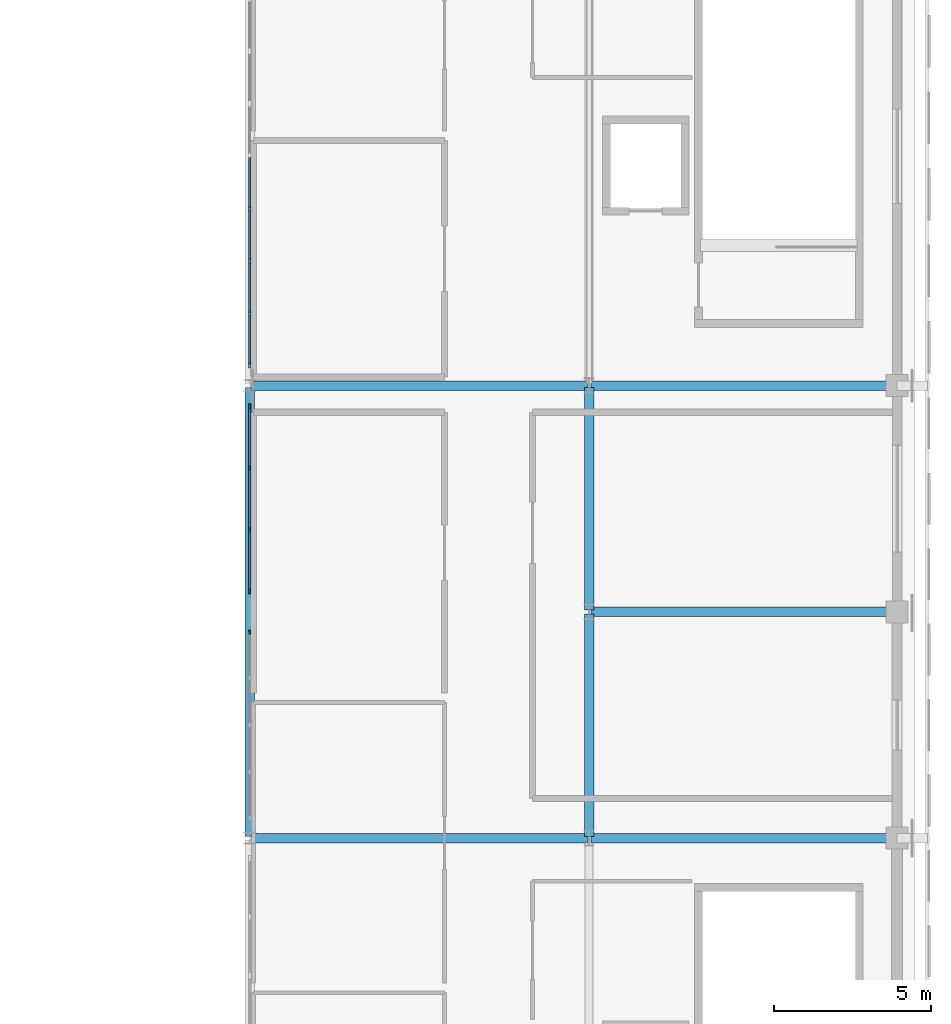
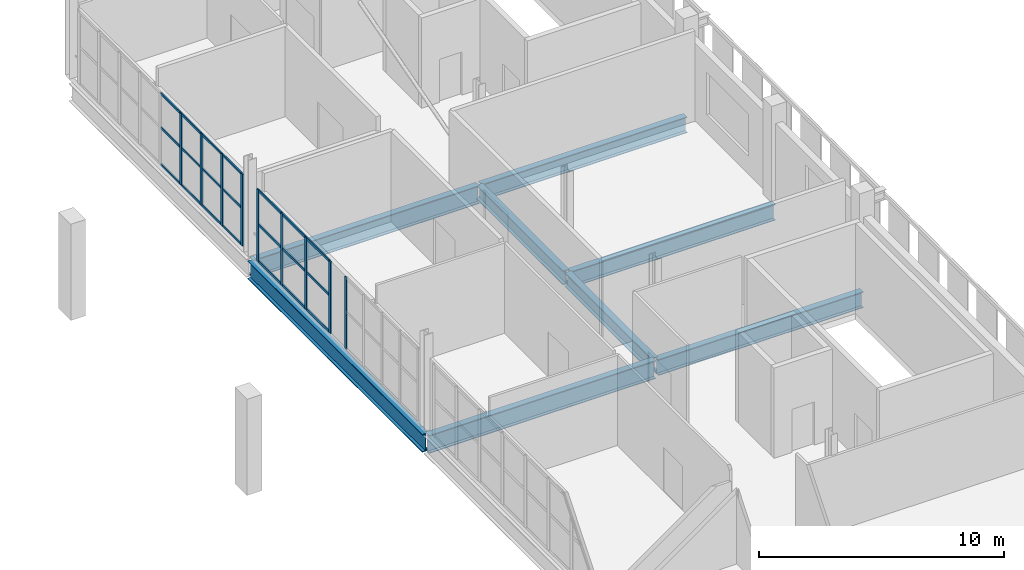
# One storey, part 21 of 51: 30 members, 8 beams, 3 elements without a shape of their own.
"""IFC4 building model written with IfcOpenShell, lengths in metres."""

from ifc_helpers import new_model, si_unit, direction, frame, origin, origin_2d, place, context, subcontext, project, spatial, rectangle, i_section, extrude, material, material_profile, profile_set, type_object, element, aggregate, save


model = new_model("IFC4")

# Units and contexts
model_context = context("Model", 3, precision=1e-05, world=origin(), true_north=direction((0.0, 1.0)))
body_context = subcontext(model_context, "Body", "Model", "MODEL_VIEW")
ifc_project = project(units=[si_unit("LENGTHUNIT", "METRE"), si_unit("AREAUNIT", "SQUARE_METRE"), si_unit("VOLUMEUNIT", "CUBIC_METRE"), si_unit("PLANEANGLEUNIT", "RADIAN"), si_unit("MASSUNIT", "GRAM", prefix="KILO")], contexts=[model_context])

# Site, building, storey
site_placement = place(None, origin())
site = spatial("IfcSite", under=ifc_project, at=site_placement, CompositionType="ELEMENT")
building_placement = place(site_placement, origin())
building = spatial("IfcBuilding", under=site, at=building_placement, Name="Koshinbarg Plaza Stadium", CompositionType="ELEMENT")
storey_placement = place(building_placement, frame((0.0, 0.0, 24.60009765625)))
storey = spatial("IfcBuildingStorey", under=building, at=storey_placement, Name="L05", CompositionType="ELEMENT", Elevation=24.60009765625)

# Beams
ifc_material_1 = material(Name="Steel S355", Category="steel")
ifc_material_profile_1 = material_profile(ifc_material_1, i_section(OverallWidth=0.300048828125, OverallDepth=0.699951171875, WebThickness=0.01708984375, FlangeThickness=0.031982421875, at=origin_2d()), Name="HEB 700")
ifc_profile_set_1 = profile_set([ifc_material_profile_1], Name="Steel S355")
beam_type_1 = type_object("IfcBeamType", Name="BM-SGIR-03", PredefinedType="USERDEFINED", material=ifc_profile_set_1)
beam_1_placement = place(storey_placement, frame((208.60009765625, 97.56005859375, -0.650146484375), z_axis=(0.0, 1.0, 0.0), x_axis=(-1.0, 0.0, 0.0)))
element("IfcBeam", 1, at=beam_1_placement, inside=storey, type_object=beam_type_1, Name="L05 Y girder 20/N-P", ObjectType="GIRDER", PredefinedType="USERDEFINED", context=body_context, shape_type="SweptSolid", body=[
    extrude(i_section(OverallWidth=0.300048828125, OverallDepth=0.699951171875, WebThickness=0.01708984375, FlangeThickness=0.031982421875, at=origin_2d()), origin(), (0.0, 0.0, 1.0), 7.079833984375),
])
beam_2_placement = place(storey_placement, frame((208.60009765625, 104.760009765625, -0.650146484375), z_axis=(0.0, 1.0, 0.0), x_axis=(-1.0, 0.0, 0.0)))
element("IfcBeam", 2, at=beam_2_placement, inside=storey, type_object=beam_type_1, Name="L05 Y girder 20/P-Q", ObjectType="GIRDER", PredefinedType="USERDEFINED", context=body_context, shape_type="SweptSolid", body=[
    extrude(i_section(OverallWidth=0.300048828125, OverallDepth=0.699951171875, WebThickness=0.01708984375, FlangeThickness=0.031982421875, at=origin_2d()), origin(), (0.0, 0.0, 1.0), 7.080078125),
])
ifc_material_profile_2 = material_profile(ifc_material_1, i_section(OverallWidth=0.300048828125, OverallDepth=0.800048828125, WebThickness=0.017578125, FlangeThickness=0.032958984375, at=origin_2d()), Name="HEB 800")
ifc_profile_set_2 = profile_set([ifc_material_profile_2], Name="Steel S355")
beam_type_2 = type_object("IfcBeamType", Name="BM-SGIR-04", PredefinedType="USERDEFINED", material=ifc_profile_set_2)
for number, where, z_axis, x_axis, name in (
    (3, (208.659912109375, 97.5, -0.7001953125), (1.0, 0.0, 0.0), (0.0, 1.0, 0.0), "L05 X girder N/20-21"),
    (4, (208.659912109375, 104.699951171875, -0.7001953125), (1.0, 0.0, 0.0), (0.0, 1.0, 0.0), "L05 X girder P/20-21"),
    (5, (208.659912109375, 111.89990234375, -0.7001953125), (1.0, 0.0, 0.0), (0.0, 1.0, 0.0), "L05 X girder Q/20-21"),
):
    element("IfcBeam", number, at=place(storey_placement, frame(where, z_axis=z_axis, x_axis=x_axis)), inside=storey, type_object=beam_type_2, Name=name, ObjectType="GIRDER", PredefinedType="USERDEFINED", context=body_context, shape_type="SweptSolid", body=[
        extrude(i_section(OverallWidth=0.300048828125, OverallDepth=0.800048828125, WebThickness=0.017578125, FlangeThickness=0.032958984375, at=origin_2d()), origin(), (0.0, 0.0, 1.0), 9.68017578125),
    ])
ifc_material_profile_3 = material_profile(ifc_material_1, i_section(OverallWidth=0.300048828125, OverallDepth=0.89990234375, WebThickness=0.0185546875, FlangeThickness=0.034912109375, at=origin_2d()), Name="HEB 900")
ifc_profile_set_3 = profile_set([ifc_material_profile_3], Name="Steel S355")
beam_type_3 = type_object("IfcBeamType", Name="BM-SGIR-05", PredefinedType="USERDEFINED", material=ifc_profile_set_3)
for number, where, z_axis, x_axis, name in (
    (6, (197.860107421875, 97.5, -0.75), (1.0, 0.0, 0.0), (0.0, 1.0, 0.0), "L05 X girder N/19-20"),
    (7, (197.860107421875, 111.89990234375, -0.75), (1.0, 0.0, 0.0), (0.0, 1.0, 0.0), "L05 X girder Q/19-20"),
):
    element("IfcBeam", number, at=place(storey_placement, frame(where, z_axis=z_axis, x_axis=x_axis)), inside=storey, type_object=beam_type_3, Name=name, ObjectType="GIRDER", PredefinedType="USERDEFINED", context=body_context, shape_type="SweptSolid", body=[
        extrude(i_section(OverallWidth=0.300048828125, OverallDepth=0.89990234375, WebThickness=0.0185546875, FlangeThickness=0.034912109375, at=origin_2d()), origin(), (0.0, 0.0, 1.0), 10.679931640625),
    ])
beam_3_placement = place(storey_placement, frame((197.800048828125, 97.56005859375, -0.75), z_axis=(0.0, 1.0, 0.0), x_axis=(-1.0, 0.0, 0.0)))
element("IfcBeam", 8, at=beam_3_placement, inside=storey, type_object=beam_type_3, Name="L05 Y girder 19/N-Q", ObjectType="GIRDER", PredefinedType="USERDEFINED", context=body_context, shape_type="SweptSolid", body=[
    extrude(i_section(OverallWidth=0.300048828125, OverallDepth=0.89990234375, WebThickness=0.0185546875, FlangeThickness=0.034912109375, at=origin_2d()), origin(), (0.0, 0.0, 1.0), 14.280029296875),
])

# Curtain wall, member
ifc_material_2 = material(Name="Thermally broken anodised aluminium and low-E double glazing", Category="aluminium")
curtain_wall_type_1 = type_object("IfcCurtainWallType", Name="CW-SYS-05", PredefinedType="NOTDEFINED", material=ifc_material_2)
curtain_wall_1_placement = place(storey_placement, origin())
curtain_wall_1 = element("IfcCurtainWall", 9, at=curtain_wall_1_placement, inside=storey, type_object=curtain_wall_type_1, Name="L05 unitised curtain wall CW-L05-148", PredefinedType="NOTDEFINED")
ifc_material_3 = material(Name="Anodised aluminium mullion", Category="aluminium")
ifc_material_profile_4 = material_profile(ifc_material_3, rectangle(XDim=0.06005859375, YDim=0.139892578125, at=origin_2d()), Name="ALU 60x140")
ifc_profile_set_4 = profile_set([ifc_material_profile_4], Name="Anodised aluminium mullion")
member_type_1 = type_object("IfcMemberType", Name="CW-MUL-01", PredefinedType="MULLION", material=ifc_profile_set_4)
member_1_placement = place(storey_placement, frame((197.800048828125, 104.050048828125, 0.0), z_axis=(0.0, 0.0, 1.0), x_axis=(-1.0, 0.0, 0.0)))
member_1 = element("IfcMember", 10, at=member_1_placement, type_object=member_type_1, Name="CW05 mullion 5", PredefinedType="MULLION", context=body_context, shape_type="SweptSolid", body=[
    extrude(rectangle(XDim=0.06005859375, YDim=0.139892578125, at=origin_2d()), origin(), (0.0, 0.0, 1.0), 3.579833984375),
])
aggregate(curtain_wall_1, [member_1])

# Curtain wall, members
curtain_wall_type_2 = type_object("IfcCurtainWallType", Name="CW-SYS-06", PredefinedType="NOTDEFINED", material=ifc_material_2)
curtain_wall_2_placement = place(storey_placement, origin())
curtain_wall_2 = element("IfcCurtainWall", 11, at=curtain_wall_2_placement, inside=storey, type_object=curtain_wall_type_2, Name="L05 unitised curtain wall CW-L05-149", PredefinedType="NOTDEFINED")
ifc_material_profile_5 = material_profile(ifc_material_3, rectangle(XDim=0.06005859375, YDim=0.159912109375, at=origin_2d()), Name="ALU 60x160")
ifc_profile_set_5 = profile_set([ifc_material_profile_5], Name="Anodised aluminium mullion")
member_type_2 = type_object("IfcMemberType", Name="CW-MUL-02", PredefinedType="MULLION", material=ifc_profile_set_5)
member_2_placement = place(storey_placement, frame((197.800048828125, 105.35009765625, 0.0), z_axis=(0.0, 0.0, 1.0), x_axis=(-1.0, 0.0, 0.0)))
member_2 = element("IfcMember", 12, at=member_2_placement, type_object=member_type_2, Name="CW06 mullion 1", PredefinedType="MULLION", context=body_context, shape_type="SweptSolid", body=[
    extrude(rectangle(XDim=0.06005859375, YDim=0.159912109375, at=origin_2d()), origin(), (0.0, 0.0, 1.0), 3.579833984375),
])
member_3_placement = place(storey_placement, frame((197.800048828125, 107.306640625, 0.0), z_axis=(0.0, 0.0, 1.0), x_axis=(-1.0, 0.0, 0.0)))
member_3 = element("IfcMember", 13, at=member_3_placement, type_object=member_type_2, Name="CW06 mullion 2", PredefinedType="MULLION", context=body_context, shape_type="SweptSolid", body=[
    extrude(rectangle(XDim=0.06005859375, YDim=0.159912109375, at=origin_2d()), origin(), (0.0, 0.0, 1.0), 3.579833984375),
])
member_4_placement = place(storey_placement, frame((197.800048828125, 109.293212890625, 0.0), z_axis=(0.0, 0.0, 1.0), x_axis=(-1.0, 0.0, 0.0)))
member_4 = element("IfcMember", 14, at=member_4_placement, type_object=member_type_2, Name="CW06 mullion 3", PredefinedType="MULLION", context=body_context, shape_type="SweptSolid", body=[
    extrude(rectangle(XDim=0.06005859375, YDim=0.159912109375, at=origin_2d()), origin(), (0.0, 0.0, 1.0), 3.579833984375),
])
member_5_placement = place(storey_placement, frame((197.800048828125, 111.25, 0.0), z_axis=(0.0, 0.0, 1.0), x_axis=(-1.0, 0.0, 0.0)))
member_5 = element("IfcMember", 15, at=member_5_placement, type_object=member_type_2, Name="CW06 mullion 4", PredefinedType="MULLION", context=body_context, shape_type="SweptSolid", body=[
    extrude(rectangle(XDim=0.06005859375, YDim=0.159912109375, at=origin_2d()), origin(), (0.0, 0.0, 1.0), 3.579833984375),
])

curtain_wall_type_3 = type_object("IfcCurtainWallType", Name="CW-SYS-07", PredefinedType="NOTDEFINED", material=ifc_material_2)
curtain_wall_3_placement = place(storey_placement, origin())
curtain_wall_3 = element("IfcCurtainWall", 16, at=curtain_wall_3_placement, inside=storey, type_object=curtain_wall_type_3, Name="L05 unitised curtain wall CW-L05-150", PredefinedType="NOTDEFINED")
ifc_material_profile_6 = material_profile(ifc_material_3, rectangle(XDim=0.070068359375, YDim=0.179931640625, at=origin_2d()), Name="ALU 70x180")
ifc_profile_set_6 = profile_set([ifc_material_profile_6], Name="Anodised aluminium mullion")
member_type_3 = type_object("IfcMemberType", Name="CW-MUL-03", PredefinedType="MULLION", material=ifc_profile_set_6)
member_6_placement = place(storey_placement, frame((197.800048828125, 112.550048828125, 0.0), z_axis=(0.0, 0.0, 1.0), x_axis=(-1.0, 0.0, 0.0)))
member_6 = element("IfcMember", 17, at=member_6_placement, type_object=member_type_3, Name="CW07 mullion 1", PredefinedType="MULLION", context=body_context, shape_type="SweptSolid", body=[
    extrude(rectangle(XDim=0.070068359375, YDim=0.179931640625, at=origin_2d()), origin(), (0.0, 0.0, 1.0), 3.579833984375),
])
member_7_placement = place(storey_placement, frame((197.800048828125, 114.18994140625, 0.0), z_axis=(0.0, 0.0, 1.0), x_axis=(-1.0, 0.0, 0.0)))
member_7 = element("IfcMember", 18, at=member_7_placement, type_object=member_type_3, Name="CW07 mullion 2", PredefinedType="MULLION", context=body_context, shape_type="SweptSolid", body=[
    extrude(rectangle(XDim=0.070068359375, YDim=0.179931640625, at=origin_2d()), origin(), (0.0, 0.0, 1.0), 3.579833984375),
])
member_8_placement = place(storey_placement, frame((197.800048828125, 115.860107421875, 0.0), z_axis=(0.0, 0.0, 1.0), x_axis=(-1.0, 0.0, 0.0)))
member_8 = element("IfcMember", 19, at=member_8_placement, type_object=member_type_3, Name="CW07 mullion 3", PredefinedType="MULLION", context=body_context, shape_type="SweptSolid", body=[
    extrude(rectangle(XDim=0.070068359375, YDim=0.179931640625, at=origin_2d()), origin(), (0.0, 0.0, 1.0), 3.579833984375),
])
member_9_placement = place(storey_placement, frame((197.800048828125, 117.530029296875, 0.0), z_axis=(0.0, 0.0, 1.0), x_axis=(-1.0, 0.0, 0.0)))
member_9 = element("IfcMember", 20, at=member_9_placement, type_object=member_type_3, Name="CW07 mullion 4", PredefinedType="MULLION", context=body_context, shape_type="SweptSolid", body=[
    extrude(rectangle(XDim=0.070068359375, YDim=0.179931640625, at=origin_2d()), origin(), (0.0, 0.0, 1.0), 3.579833984375),
])
ifc_material_4 = material(Name="Anodised aluminium transom", Category="aluminium")
ifc_material_profile_7 = material_profile(ifc_material_4, rectangle(XDim=0.06005859375, YDim=0.110107421875, at=origin_2d()), Name="ALU 60x110")
ifc_profile_set_7 = profile_set([ifc_material_profile_7], Name="Anodised aluminium transom")
member_type_4 = type_object("IfcMemberType", Name="CW-TRN-01", PredefinedType="USERDEFINED", material=ifc_profile_set_7)
member_10_placement = place(storey_placement, frame((197.800048828125, 112.580078125, 0.02978515625), z_axis=(0.0, 1.0, 0.0), x_axis=(-1.0, 0.0, 0.0)))
member_10 = element("IfcMember", 21, at=member_10_placement, type_object=member_type_4, Name="CW07 transom 1.1", ObjectType="TRANSOM", PredefinedType="USERDEFINED", context=body_context, shape_type="SweptSolid", body=[
    extrude(rectangle(XDim=0.06005859375, YDim=0.110107421875, at=origin_2d()), origin(), (0.0, 0.0, 1.0), 1.579833984375),
])
member_11_placement = place(storey_placement, frame((197.800048828125, 112.580078125, 1.861572265625), z_axis=(0.0, 1.0, 0.0), x_axis=(-1.0, 0.0, 0.0)))
member_11 = element("IfcMember", 22, at=member_11_placement, type_object=member_type_4, Name="CW07 transom 1.2", ObjectType="TRANSOM", PredefinedType="USERDEFINED", context=body_context, shape_type="SweptSolid", body=[
    extrude(rectangle(XDim=0.06005859375, YDim=0.110107421875, at=origin_2d()), origin(), (0.0, 0.0, 1.0), 1.579833984375),
])
member_12_placement = place(storey_placement, frame((197.800048828125, 112.580078125, 3.5498046875), z_axis=(0.0, 1.0, 0.0), x_axis=(-1.0, 0.0, 0.0)))
member_12 = element("IfcMember", 23, at=member_12_placement, type_object=member_type_4, Name="CW07 transom 1.3", ObjectType="TRANSOM", PredefinedType="USERDEFINED", context=body_context, shape_type="SweptSolid", body=[
    extrude(rectangle(XDim=0.06005859375, YDim=0.110107421875, at=origin_2d()), origin(), (0.0, 0.0, 1.0), 1.579833984375),
])
member_13_placement = place(storey_placement, frame((197.800048828125, 114.219970703125, 0.02978515625), z_axis=(0.0, 1.0, 0.0), x_axis=(-1.0, 0.0, 0.0)))
member_13 = element("IfcMember", 24, at=member_13_placement, type_object=member_type_4, Name="CW07 transom 2.1", ObjectType="TRANSOM", PredefinedType="USERDEFINED", context=body_context, shape_type="SweptSolid", body=[
    extrude(rectangle(XDim=0.06005859375, YDim=0.110107421875, at=origin_2d()), origin(), (0.0, 0.0, 1.0), 1.610107421875),
])
member_14_placement = place(storey_placement, frame((197.800048828125, 114.219970703125, 1.861572265625), z_axis=(0.0, 1.0, 0.0), x_axis=(-1.0, 0.0, 0.0)))
member_14 = element("IfcMember", 25, at=member_14_placement, type_object=member_type_4, Name="CW07 transom 2.2", ObjectType="TRANSOM", PredefinedType="USERDEFINED", context=body_context, shape_type="SweptSolid", body=[
    extrude(rectangle(XDim=0.06005859375, YDim=0.110107421875, at=origin_2d()), origin(), (0.0, 0.0, 1.0), 1.610107421875),
])
member_15_placement = place(storey_placement, frame((197.800048828125, 114.219970703125, 3.5498046875), z_axis=(0.0, 1.0, 0.0), x_axis=(-1.0, 0.0, 0.0)))
member_15 = element("IfcMember", 26, at=member_15_placement, type_object=member_type_4, Name="CW07 transom 2.3", ObjectType="TRANSOM", PredefinedType="USERDEFINED", context=body_context, shape_type="SweptSolid", body=[
    extrude(rectangle(XDim=0.06005859375, YDim=0.110107421875, at=origin_2d()), origin(), (0.0, 0.0, 1.0), 1.610107421875),
])
member_16_placement = place(storey_placement, frame((197.800048828125, 115.889892578125, 0.02978515625), z_axis=(0.0, 1.0, 0.0), x_axis=(-1.0, 0.0, 0.0)))
member_16 = element("IfcMember", 27, at=member_16_placement, type_object=member_type_4, Name="CW07 transom 3.1", ObjectType="TRANSOM", PredefinedType="USERDEFINED", context=body_context, shape_type="SweptSolid", body=[
    extrude(rectangle(XDim=0.06005859375, YDim=0.110107421875, at=origin_2d()), origin(), (0.0, 0.0, 1.0), 1.610107421875),
])
member_17_placement = place(storey_placement, frame((197.800048828125, 115.889892578125, 1.861572265625), z_axis=(0.0, 1.0, 0.0), x_axis=(-1.0, 0.0, 0.0)))
member_17 = element("IfcMember", 28, at=member_17_placement, type_object=member_type_4, Name="CW07 transom 3.2", ObjectType="TRANSOM", PredefinedType="USERDEFINED", context=body_context, shape_type="SweptSolid", body=[
    extrude(rectangle(XDim=0.06005859375, YDim=0.110107421875, at=origin_2d()), origin(), (0.0, 0.0, 1.0), 1.610107421875),
])
member_18_placement = place(storey_placement, frame((197.800048828125, 115.889892578125, 3.5498046875), z_axis=(0.0, 1.0, 0.0), x_axis=(-1.0, 0.0, 0.0)))
member_18 = element("IfcMember", 29, at=member_18_placement, type_object=member_type_4, Name="CW07 transom 3.3", ObjectType="TRANSOM", PredefinedType="USERDEFINED", context=body_context, shape_type="SweptSolid", body=[
    extrude(rectangle(XDim=0.06005859375, YDim=0.110107421875, at=origin_2d()), origin(), (0.0, 0.0, 1.0), 1.610107421875),
])
member_19_placement = place(storey_placement, frame((197.800048828125, 117.56005859375, 0.02978515625), z_axis=(0.0, 1.0, 0.0), x_axis=(-1.0, 0.0, 0.0)))
member_19 = element("IfcMember", 30, at=member_19_placement, type_object=member_type_4, Name="CW07 transom 4.1", ObjectType="TRANSOM", PredefinedType="USERDEFINED", context=body_context, shape_type="SweptSolid", body=[
    extrude(rectangle(XDim=0.06005859375, YDim=0.110107421875, at=origin_2d()), origin(), (0.0, 0.0, 1.0), 1.60986328125),
])
member_20_placement = place(storey_placement, frame((197.800048828125, 117.56005859375, 1.861572265625), z_axis=(0.0, 1.0, 0.0), x_axis=(-1.0, 0.0, 0.0)))
member_20 = element("IfcMember", 31, at=member_20_placement, type_object=member_type_4, Name="CW07 transom 4.2", ObjectType="TRANSOM", PredefinedType="USERDEFINED", context=body_context, shape_type="SweptSolid", body=[
    extrude(rectangle(XDim=0.06005859375, YDim=0.110107421875, at=origin_2d()), origin(), (0.0, 0.0, 1.0), 1.60986328125),
])
member_21_placement = place(storey_placement, frame((197.800048828125, 117.56005859375, 3.5498046875), z_axis=(0.0, 1.0, 0.0), x_axis=(-1.0, 0.0, 0.0)))
member_21 = element("IfcMember", 32, at=member_21_placement, type_object=member_type_4, Name="CW07 transom 4.3", ObjectType="TRANSOM", PredefinedType="USERDEFINED", context=body_context, shape_type="SweptSolid", body=[
    extrude(rectangle(XDim=0.06005859375, YDim=0.110107421875, at=origin_2d()), origin(), (0.0, 0.0, 1.0), 1.60986328125),
])
aggregate(curtain_wall_3, [member_6, member_7, member_8, member_9, member_10, member_11, member_12, member_13, member_14, member_15, member_16, member_17, member_18, member_19, member_20, member_21])

# Member
ifc_material_profile_8 = material_profile(ifc_material_4, rectangle(XDim=0.06005859375, YDim=0.1298828125, at=origin_2d()), Name="ALU 60x130")
ifc_profile_set_8 = profile_set([ifc_material_profile_8], Name="Anodised aluminium transom")
member_type_5 = type_object("IfcMemberType", Name="CW-TRN-02", PredefinedType="USERDEFINED", material=ifc_profile_set_8)
member_22_placement = place(storey_placement, frame((197.800048828125, 105.3798828125, 0.02978515625), z_axis=(0.0, 1.0, 0.0), x_axis=(-1.0, 0.0, 0.0)))
member_22 = element("IfcMember", 33, at=member_22_placement, type_object=member_type_5, Name="CW06 transom 1.1", ObjectType="TRANSOM", PredefinedType="USERDEFINED", context=body_context, shape_type="SweptSolid", body=[
    extrude(rectangle(XDim=0.06005859375, YDim=0.1298828125, at=origin_2d()), origin(), (0.0, 0.0, 1.0), 1.896728515625),
])

member_23_placement = place(storey_placement, frame((197.800048828125, 105.3798828125, 1.861572265625), z_axis=(0.0, 1.0, 0.0), x_axis=(-1.0, 0.0, 0.0)))
member_23 = element("IfcMember", 34, at=member_23_placement, type_object=member_type_5, Name="CW06 transom 1.2", ObjectType="TRANSOM", PredefinedType="USERDEFINED", context=body_context, shape_type="SweptSolid", body=[
    extrude(rectangle(XDim=0.06005859375, YDim=0.1298828125, at=origin_2d()), origin(), (0.0, 0.0, 1.0), 1.896728515625),
])

member_24_placement = place(storey_placement, frame((197.800048828125, 105.3798828125, 3.5498046875), z_axis=(0.0, 1.0, 0.0), x_axis=(-1.0, 0.0, 0.0)))
member_24 = element("IfcMember", 35, at=member_24_placement, type_object=member_type_5, Name="CW06 transom 1.3", ObjectType="TRANSOM", PredefinedType="USERDEFINED", context=body_context, shape_type="SweptSolid", body=[
    extrude(rectangle(XDim=0.06005859375, YDim=0.1298828125, at=origin_2d()), origin(), (0.0, 0.0, 1.0), 1.896728515625),
])

member_25_placement = place(storey_placement, frame((197.800048828125, 107.336669921875, 0.02978515625), z_axis=(0.0, 1.0, 0.0), x_axis=(-1.0, 0.0, 0.0)))
member_25 = element("IfcMember", 36, at=member_25_placement, type_object=member_type_5, Name="CW06 transom 2.1", ObjectType="TRANSOM", PredefinedType="USERDEFINED", context=body_context, shape_type="SweptSolid", body=[
    extrude(rectangle(XDim=0.06005859375, YDim=0.1298828125, at=origin_2d()), origin(), (0.0, 0.0, 1.0), 1.9267578125),
])

member_26_placement = place(storey_placement, frame((197.800048828125, 107.336669921875, 1.861572265625), z_axis=(0.0, 1.0, 0.0), x_axis=(-1.0, 0.0, 0.0)))
member_26 = element("IfcMember", 37, at=member_26_placement, type_object=member_type_5, Name="CW06 transom 2.2", ObjectType="TRANSOM", PredefinedType="USERDEFINED", context=body_context, shape_type="SweptSolid", body=[
    extrude(rectangle(XDim=0.06005859375, YDim=0.1298828125, at=origin_2d()), origin(), (0.0, 0.0, 1.0), 1.9267578125),
])

member_27_placement = place(storey_placement, frame((197.800048828125, 107.336669921875, 3.5498046875), z_axis=(0.0, 1.0, 0.0), x_axis=(-1.0, 0.0, 0.0)))
member_27 = element("IfcMember", 38, at=member_27_placement, type_object=member_type_5, Name="CW06 transom 2.3", ObjectType="TRANSOM", PredefinedType="USERDEFINED", context=body_context, shape_type="SweptSolid", body=[
    extrude(rectangle(XDim=0.06005859375, YDim=0.1298828125, at=origin_2d()), origin(), (0.0, 0.0, 1.0), 1.9267578125),
])

member_28_placement = place(storey_placement, frame((197.800048828125, 109.3232421875, 0.02978515625), z_axis=(0.0, 1.0, 0.0), x_axis=(-1.0, 0.0, 0.0)))
member_28 = element("IfcMember", 39, at=member_28_placement, type_object=member_type_5, Name="CW06 transom 3.1", ObjectType="TRANSOM", PredefinedType="USERDEFINED", context=body_context, shape_type="SweptSolid", body=[
    extrude(rectangle(XDim=0.06005859375, YDim=0.1298828125, at=origin_2d()), origin(), (0.0, 0.0, 1.0), 1.896728515625),
])

member_29_placement = place(storey_placement, frame((197.800048828125, 109.3232421875, 1.861572265625), z_axis=(0.0, 1.0, 0.0), x_axis=(-1.0, 0.0, 0.0)))
member_29 = element("IfcMember", 40, at=member_29_placement, type_object=member_type_5, Name="CW06 transom 3.2", ObjectType="TRANSOM", PredefinedType="USERDEFINED", context=body_context, shape_type="SweptSolid", body=[
    extrude(rectangle(XDim=0.06005859375, YDim=0.1298828125, at=origin_2d()), origin(), (0.0, 0.0, 1.0), 1.896728515625),
])

member_30_placement = place(storey_placement, frame((197.800048828125, 109.3232421875, 3.5498046875), z_axis=(0.0, 1.0, 0.0), x_axis=(-1.0, 0.0, 0.0)))
member_30 = element("IfcMember", 41, at=member_30_placement, type_object=member_type_5, Name="CW06 transom 3.3", ObjectType="TRANSOM", PredefinedType="USERDEFINED", context=body_context, shape_type="SweptSolid", body=[
    extrude(rectangle(XDim=0.06005859375, YDim=0.1298828125, at=origin_2d()), origin(), (0.0, 0.0, 1.0), 1.896728515625),
])

aggregate(curtain_wall_2, [member_2, member_3, member_4, member_5, member_22, member_23, member_24, member_25, member_26, member_27, member_28, member_29, member_30])

save(model, "model.ifc")
